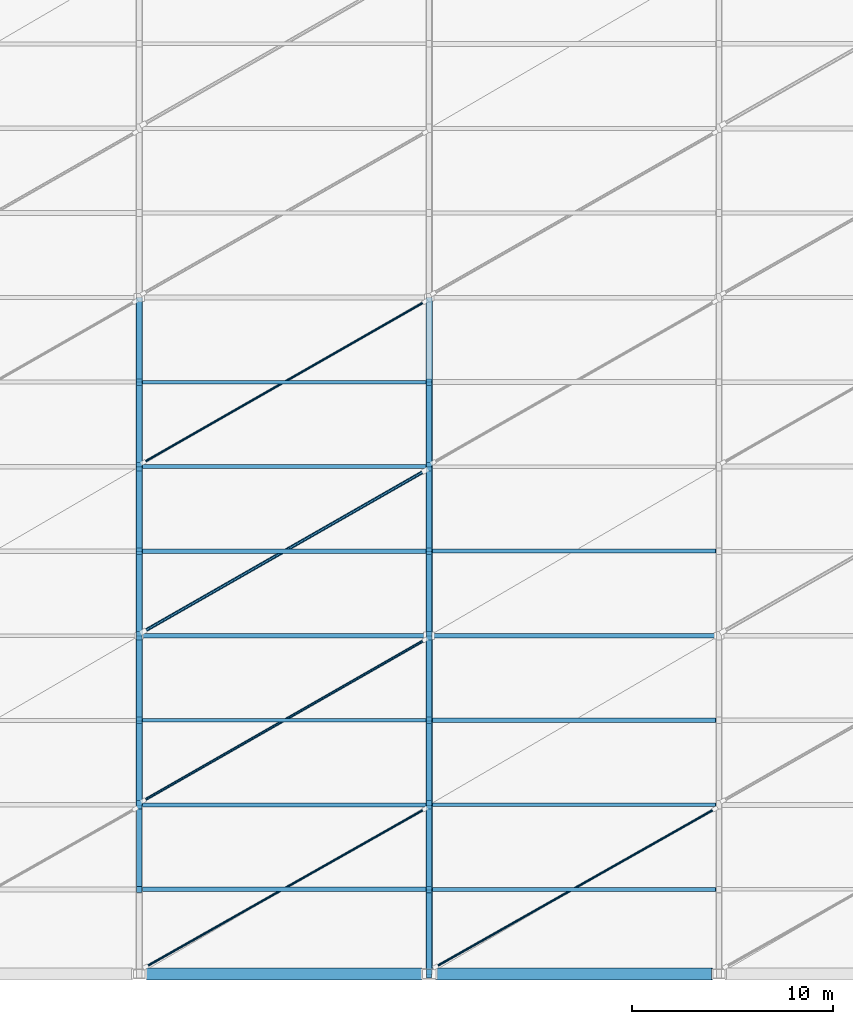
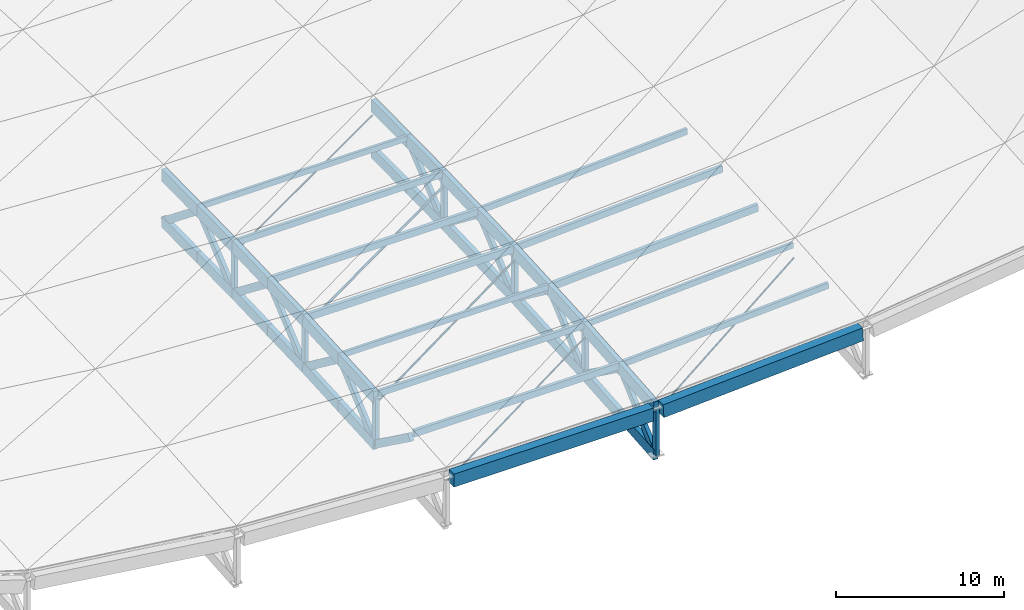
# One storey, part 5 of 22: 38 members, 30 beams.
"""IFC4 building model written with IfcOpenShell, lengths in metres."""

from ifc_helpers import new_model, si_unit, direction, frame, origin, origin_2d, place, context, subcontext, project, spatial, rectangle, hollow_circle, extrude, material, material_profile, profile_set, type_object, element, save


model = new_model("IFC4")

# Units and contexts
model_context = context("Model", 3, precision=1e-05, world=origin(), true_north=direction((0.0, 1.0)))
body_context = subcontext(model_context, "Body", "Model", "MODEL_VIEW")
ifc_project = project(units=[si_unit("LENGTHUNIT", "METRE"), si_unit("AREAUNIT", "SQUARE_METRE"), si_unit("VOLUMEUNIT", "CUBIC_METRE"), si_unit("PLANEANGLEUNIT", "RADIAN"), si_unit("MASSUNIT", "GRAM", prefix="KILO"), si_unit("THERMODYNAMICTEMPERATUREUNIT", "KELVIN")], contexts=[model_context])

# Site, building, storey
site_placement = place(None, origin())
site = spatial("IfcSite", under=ifc_project, at=site_placement, CompositionType="ELEMENT")
building_placement = place(site_placement, origin())
building = spatial("IfcBuilding", under=site, at=building_placement, Name="Nduvali Passage Aquatics Centre", CompositionType="ELEMENT")
storey_placement = place(building_placement, frame((0.0, 0.0, 21.60009765625)))
storey = spatial("IfcBuildingStorey", under=building, at=storey_placement, Name="RF", CompositionType="ELEMENT", Elevation=21.60009765625)

# Beams
ifc_material_1 = material(Name="Glulam GL32c", Category="wood")
ifc_material_profile_1 = material_profile(ifc_material_1, rectangle(XDim=0.320068359375, YDim=0.800048828125, at=origin_2d()), Name="GL32c 320x800")
ifc_profile_set_1 = profile_set([ifc_material_profile_1], Name="Glulam GL32c")
beam_type_1 = type_object("IfcBeamType", Name="STR-BM-GL32-BOT", PredefinedType="BEAM", material=ifc_profile_set_1)
for number, where, z_axis, x_axis, name in (
    (1, (68.39990234375, 33.60009765625, -11.24951171875), (0.0, 0.998233110761, 0.059419328339), (-1.0, 0.0, 0.0), "RF Pool Hall Roof Truss Bottom Chord R4 BC1-1779"),
    (2, (68.39990234375, 37.800048828125, -10.99951171875), (0.0, 0.998233110761, 0.059419328339), (-1.0, 0.0, 0.0), "RF Pool Hall Roof Truss Bottom Chord R4 BC1-1781"),
):
    element("IfcBeam", number, at=place(storey_placement, frame(where, z_axis=z_axis, x_axis=x_axis)), inside=storey, type_object=beam_type_1, Name=name, PredefinedType="BEAM", context=body_context, shape_type="SweptSolid", body=[
        extrude(rectangle(XDim=0.320068359375, YDim=0.800048828125, at=origin_2d()), origin(), (0.0, 0.0, 1.0), 4.207275390625),
    ])
for number, where, z_axis, x_axis, name in (
    (3, (68.39990234375, 42.0, -10.74951171875), (0.0, 0.999363668121, 0.035668737559), (-1.0, 0.0, 0.0), "RF Pool Hall Roof Truss Bottom Chord R4 BC1-1783"),
    (4, (68.39990234375, 46.199951171875, -10.599609375), (0.0, 0.999363668121, 0.035668737559), (-1.0, 0.0, 0.0), "RF Pool Hall Roof Truss Bottom Chord R4 BC1-1785"),
):
    element("IfcBeam", number, at=place(storey_placement, frame(where, z_axis=z_axis, x_axis=x_axis)), inside=storey, type_object=beam_type_1, Name=name, PredefinedType="BEAM", context=body_context, shape_type="SweptSolid", body=[
        extrude(rectangle(XDim=0.320068359375, YDim=0.800048828125, at=origin_2d()), origin(), (0.0, 0.0, 1.0), 4.20263671875),
    ])
beam_1_placement = place(storey_placement, frame((68.39990234375, 50.39990234375, -10.44970703125), z_axis=(0.0, 0.999929014015, 0.01191498767), x_axis=(-1.0, 0.0, 0.0)))
element("IfcBeam", 5, at=beam_1_placement, inside=storey, type_object=beam_type_1, Name="RF Pool Hall Roof Truss Bottom Chord R4 BC1-1787", PredefinedType="BEAM", context=body_context, shape_type="SweptSolid", body=[
    extrude(rectangle(XDim=0.320068359375, YDim=0.800048828125, at=origin_2d()), origin(), (0.0, 0.0, 1.0), 4.200439453125),
])
beam_2_placement = place(storey_placement, frame((68.39990234375, 54.60009765625, -10.399658203125), z_axis=(0.0, 0.999929005763, 0.011915680183), x_axis=(-1.0, 0.0, 0.0)))
element("IfcBeam", 6, at=beam_2_placement, inside=storey, type_object=beam_type_1, Name="RF Pool Hall Roof Truss Bottom Chord R4 BC1-1789", PredefinedType="BEAM", context=body_context, shape_type="SweptSolid", body=[
    extrude(rectangle(XDim=0.320068359375, YDim=0.800048828125, at=origin_2d()), origin(), (0.0, 0.0, 1.0), 4.2001953125),
])
beam_3_placement = place(storey_placement, frame((82.800048828125, 25.199951171875, -11.94970703125), z_axis=(0.0, 0.996543760423, 0.083069450238), x_axis=(-1.0, 0.0, 0.0)))
element("IfcBeam", 7, at=beam_3_placement, inside=storey, type_object=beam_type_1, Name="RF Pool Hall Roof Truss Bottom Chord R5 BC1-1807", PredefinedType="BEAM", context=body_context, shape_type="SweptSolid", body=[
    extrude(rectangle(XDim=0.320068359375, YDim=0.800048828125, at=origin_2d()), origin(), (0.0, 0.0, 1.0), 4.214599609375),
])
beam_4_placement = place(storey_placement, frame((82.800048828125, 29.39990234375, -11.599609375), z_axis=(0.0, 0.996544160125, 0.083064655058), x_axis=(-1.0, 0.0, 0.0)))
element("IfcBeam", 8, at=beam_4_placement, inside=storey, type_object=beam_type_1, Name="RF Pool Hall Roof Truss Bottom Chord R5 BC1-1809", PredefinedType="BEAM", context=body_context, shape_type="SweptSolid", body=[
    extrude(rectangle(XDim=0.320068359375, YDim=0.800048828125, at=origin_2d()), origin(), (0.0, 0.0, 1.0), 4.21484375),
])
for number, where, z_axis, x_axis, name in (
    (9, (82.800048828125, 33.60009765625, -11.24951171875), (0.0, 0.998233110761, 0.059419328339), (-1.0, 0.0, 0.0), "RF Pool Hall Roof Truss Bottom Chord R5 BC1-1811"),
    (10, (82.800048828125, 37.800048828125, -10.99951171875), (0.0, 0.998233110761, 0.059419328339), (-1.0, 0.0, 0.0), "RF Pool Hall Roof Truss Bottom Chord R5 BC1-1813"),
):
    element("IfcBeam", number, at=place(storey_placement, frame(where, z_axis=z_axis, x_axis=x_axis)), inside=storey, type_object=beam_type_1, Name=name, PredefinedType="BEAM", context=body_context, shape_type="SweptSolid", body=[
        extrude(rectangle(XDim=0.320068359375, YDim=0.800048828125, at=origin_2d()), origin(), (0.0, 0.0, 1.0), 4.207275390625),
    ])
for number, where, z_axis, x_axis, name in (
    (11, (82.800048828125, 42.0, -10.74951171875), (0.0, 0.999363668121, 0.035668737559), (-1.0, 0.0, 0.0), "RF Pool Hall Roof Truss Bottom Chord R5 BC1-1815"),
    (12, (82.800048828125, 46.199951171875, -10.599609375), (0.0, 0.999363668121, 0.035668737559), (-1.0, 0.0, 0.0), "RF Pool Hall Roof Truss Bottom Chord R5 BC1-1817"),
):
    element("IfcBeam", number, at=place(storey_placement, frame(where, z_axis=z_axis, x_axis=x_axis)), inside=storey, type_object=beam_type_1, Name=name, PredefinedType="BEAM", context=body_context, shape_type="SweptSolid", body=[
        extrude(rectangle(XDim=0.320068359375, YDim=0.800048828125, at=origin_2d()), origin(), (0.0, 0.0, 1.0), 4.20263671875),
    ])
beam_5_placement = place(storey_placement, frame((82.800048828125, 50.39990234375, -10.44970703125), z_axis=(0.0, 0.999929014015, 0.01191498767), x_axis=(-1.0, 0.0, 0.0)))
element("IfcBeam", 13, at=beam_5_placement, inside=storey, type_object=beam_type_1, Name="RF Pool Hall Roof Truss Bottom Chord R5 BC1-1819", PredefinedType="BEAM", context=body_context, shape_type="SweptSolid", body=[
    extrude(rectangle(XDim=0.320068359375, YDim=0.800048828125, at=origin_2d()), origin(), (0.0, 0.0, 1.0), 4.200439453125),
])
beam_6_placement = place(storey_placement, frame((82.800048828125, 54.60009765625, -10.399658203125), z_axis=(0.0, 0.999929005763, 0.011915680183), x_axis=(-1.0, 0.0, 0.0)))
element("IfcBeam", 14, at=beam_6_placement, inside=storey, type_object=beam_type_1, Name="RF Pool Hall Roof Truss Bottom Chord R5 BC1-1821", PredefinedType="BEAM", context=body_context, shape_type="SweptSolid", body=[
    extrude(rectangle(XDim=0.320068359375, YDim=0.800048828125, at=origin_2d()), origin(), (0.0, 0.0, 1.0), 4.2001953125),
])
ifc_material_profile_2 = material_profile(ifc_material_1, rectangle(XDim=0.320068359375, YDim=0.89990234375, at=origin_2d()), Name="GL32c 320x900")
ifc_profile_set_2 = profile_set([ifc_material_profile_2], Name="Glulam GL32c")
beam_type_2 = type_object("IfcBeamType", Name="STR-BM-GL32-TOP", PredefinedType="BEAM", material=ifc_profile_set_2)
for number, where, z_axis, x_axis, name in (
    (15, (68.39990234375, 33.60009765625, -7.849609375), (0.0, 0.998233110761, 0.059419328339), (-1.0, 0.0, 0.0), "RF Pool Hall Roof Truss Top Chord R4 TC1-1778"),
    (16, (68.39990234375, 37.800048828125, -7.599609375), (0.0, 0.998233110761, 0.059419328339), (-1.0, 0.0, 0.0), "RF Pool Hall Roof Truss Top Chord R4 TC1-1780"),
):
    element("IfcBeam", number, at=place(storey_placement, frame(where, z_axis=z_axis, x_axis=x_axis)), inside=storey, type_object=beam_type_2, Name=name, PredefinedType="BEAM", context=body_context, shape_type="SweptSolid", body=[
        extrude(rectangle(XDim=0.320068359375, YDim=0.89990234375, at=origin_2d()), origin(), (0.0, 0.0, 1.0), 4.207275390625),
    ])
for number, where, z_axis, x_axis, name in (
    (17, (68.39990234375, 42.0, -7.349609375), (0.0, 0.999363668121, 0.035668737559), (-1.0, 0.0, 0.0), "RF Pool Hall Roof Truss Top Chord R4 TC1-1782"),
    (18, (68.39990234375, 46.199951171875, -7.19970703125), (0.0, 0.999361595677, 0.035726755876), (-1.0, 0.0, 0.0), "RF Pool Hall Roof Truss Top Chord R4 TC1-1784"),
):
    element("IfcBeam", number, at=place(storey_placement, frame(where, z_axis=z_axis, x_axis=x_axis)), inside=storey, type_object=beam_type_2, Name=name, PredefinedType="BEAM", context=body_context, shape_type="SweptSolid", body=[
        extrude(rectangle(XDim=0.320068359375, YDim=0.89990234375, at=origin_2d()), origin(), (0.0, 0.0, 1.0), 4.20263671875),
    ])
beam_7_placement = place(storey_placement, frame((68.39990234375, 50.39990234375, -7.049560546875), z_axis=(0.0, 0.999929014015, 0.01191498767), x_axis=(-1.0, 0.0, 0.0)))
element("IfcBeam", 19, at=beam_7_placement, inside=storey, type_object=beam_type_2, Name="RF Pool Hall Roof Truss Top Chord R4 TC1-1786", PredefinedType="BEAM", context=body_context, shape_type="SweptSolid", body=[
    extrude(rectangle(XDim=0.320068359375, YDim=0.89990234375, at=origin_2d()), origin(), (0.0, 0.0, 1.0), 4.200439453125),
])
beam_8_placement = place(storey_placement, frame((68.39990234375, 54.60009765625, -6.99951171875), z_axis=(0.0, 0.999929696627, 0.011857563106), x_axis=(-1.0, 0.0, 0.0)))
element("IfcBeam", 20, at=beam_8_placement, inside=storey, type_object=beam_type_2, Name="RF Pool Hall Roof Truss Top Chord R4 TC1-1788", PredefinedType="BEAM", context=body_context, shape_type="SweptSolid", body=[
    extrude(rectangle(XDim=0.320068359375, YDim=0.89990234375, at=origin_2d()), origin(), (0.0, 0.0, 1.0), 4.2001953125),
])
beam_9_placement = place(storey_placement, frame((82.800048828125, 25.199951171875, -8.549560546875), z_axis=(0.0, 0.996548554241, 0.083011921073), x_axis=(-1.0, 0.0, 0.0)))
element("IfcBeam", 21, at=beam_9_placement, inside=storey, type_object=beam_type_2, Name="RF Pool Hall Roof Truss Top Chord R5 TC1-1806", PredefinedType="BEAM", context=body_context, shape_type="SweptSolid", body=[
    extrude(rectangle(XDim=0.320068359375, YDim=0.89990234375, at=origin_2d()), origin(), (0.0, 0.0, 1.0), 4.214599609375),
])
beam_10_placement = place(storey_placement, frame((82.800048828125, 29.39990234375, -8.19970703125), z_axis=(0.0, 0.996544160125, 0.083064655058), x_axis=(-1.0, 0.0, 0.0)))
element("IfcBeam", 22, at=beam_10_placement, inside=storey, type_object=beam_type_2, Name="RF Pool Hall Roof Truss Top Chord R5 TC1-1808", PredefinedType="BEAM", context=body_context, shape_type="SweptSolid", body=[
    extrude(rectangle(XDim=0.320068359375, YDim=0.89990234375, at=origin_2d()), origin(), (0.0, 0.0, 1.0), 4.21484375),
])
for number, where, z_axis, x_axis, name in (
    (23, (82.800048828125, 33.60009765625, -7.849609375), (0.0, 0.998233110761, 0.059419328339), (-1.0, 0.0, 0.0), "RF Pool Hall Roof Truss Top Chord R5 TC1-1810"),
    (24, (82.800048828125, 37.800048828125, -7.599609375), (0.0, 0.998233110761, 0.059419328339), (-1.0, 0.0, 0.0), "RF Pool Hall Roof Truss Top Chord R5 TC1-1812"),
):
    element("IfcBeam", number, at=place(storey_placement, frame(where, z_axis=z_axis, x_axis=x_axis)), inside=storey, type_object=beam_type_2, Name=name, PredefinedType="BEAM", context=body_context, shape_type="SweptSolid", body=[
        extrude(rectangle(XDim=0.320068359375, YDim=0.89990234375, at=origin_2d()), origin(), (0.0, 0.0, 1.0), 4.207275390625),
    ])
for number, where, z_axis, x_axis, name in (
    (25, (82.800048828125, 42.0, -7.349609375), (0.0, 0.999363668121, 0.035668737559), (-1.0, 0.0, 0.0), "RF Pool Hall Roof Truss Top Chord R5 TC1-1814"),
    (26, (82.800048828125, 46.199951171875, -7.19970703125), (0.0, 0.999361595677, 0.035726755876), (-1.0, 0.0, 0.0), "RF Pool Hall Roof Truss Top Chord R5 TC1-1816"),
):
    element("IfcBeam", number, at=place(storey_placement, frame(where, z_axis=z_axis, x_axis=x_axis)), inside=storey, type_object=beam_type_2, Name=name, PredefinedType="BEAM", context=body_context, shape_type="SweptSolid", body=[
        extrude(rectangle(XDim=0.320068359375, YDim=0.89990234375, at=origin_2d()), origin(), (0.0, 0.0, 1.0), 4.20263671875),
    ])
beam_11_placement = place(storey_placement, frame((82.800048828125, 50.39990234375, -7.049560546875), z_axis=(0.0, 0.999929014015, 0.01191498767), x_axis=(-1.0, 0.0, 0.0)))
element("IfcBeam", 27, at=beam_11_placement, inside=storey, type_object=beam_type_2, Name="RF Pool Hall Roof Truss Top Chord R5 TC1-1818", PredefinedType="BEAM", context=body_context, shape_type="SweptSolid", body=[
    extrude(rectangle(XDim=0.320068359375, YDim=0.89990234375, at=origin_2d()), origin(), (0.0, 0.0, 1.0), 4.200439453125),
])
beam_12_placement = place(storey_placement, frame((82.800048828125, 54.60009765625, -6.99951171875), z_axis=(0.0, 0.999929696627, 0.011857563106), x_axis=(-1.0, 0.0, 0.0)))
element("IfcBeam", 28, at=beam_12_placement, inside=storey, type_object=beam_type_2, Name="RF Pool Hall Roof Truss Top Chord R5 TC1-1820", PredefinedType="BEAM", context=body_context, shape_type="SweptSolid", body=[
    extrude(rectangle(XDim=0.320068359375, YDim=0.89990234375, at=origin_2d()), origin(), (0.0, 0.0, 1.0), 4.2001953125),
])
ifc_material_2 = material(Name="Concrete C40/50", Category="concrete")
ifc_material_profile_3 = material_profile(ifc_material_2, rectangle(XDim=0.60009765625, YDim=0.949951171875, at=origin_2d()), Name="RC 600x950")
ifc_profile_set_3 = profile_set([ifc_material_profile_3], Name="Concrete C40/50")
beam_type_3 = type_object("IfcBeamType", Name="STR-BM-RC6095-EXT", PredefinedType="BEAM", material=ifc_profile_set_3)
beam_13_placement = place(storey_placement, frame((68.75, 25.199951171875, -8.772705078125), z_axis=(1.0, 0.0, 0.0), x_axis=(0.0, 1.0, 0.0)))
element("IfcBeam", 29, at=beam_13_placement, inside=storey, type_object=beam_type_3, Name="RF Pool Hall Perimeter Ring Beam B1E-1667", PredefinedType="BEAM", context=body_context, shape_type="SweptSolid", body=[
    extrude(rectangle(XDim=0.60009765625, YDim=0.949951171875, at=origin_2d()), origin(), (0.0, 0.0, 1.0), 13.699951171875),
])
beam_14_placement = place(storey_placement, frame((83.14990234375, 25.199951171875, -8.772705078125), z_axis=(0.998336319947, 0.0, 0.057659277442), x_axis=(0.0, 1.0, 0.0)))
element("IfcBeam", 30, at=beam_14_placement, inside=storey, type_object=beam_type_3, Name="RF Pool Hall Perimeter Ring Beam B1E-1668", PredefinedType="BEAM", context=body_context, shape_type="SweptSolid", body=[
    extrude(rectangle(XDim=0.60009765625, YDim=0.949951171875, at=origin_2d()), origin(), (0.0, 0.0, 1.0), 13.72314453125),
])

# Members
ifc_material_3 = material(Name="Steel S355", Category="steel")
ifc_material_profile_4 = material_profile(ifc_material_3, hollow_circle(Radius=0.05712890625, WallThickness=0.00634765625, at=origin_2d()), Name="CHS 114.3x6.3")
ifc_profile_set_4 = profile_set([ifc_material_profile_4], Name="Steel S355")
member_type_1 = type_object("IfcMemberType", Name="STR-MEM-CHS114", PredefinedType="BRACE", material=ifc_profile_set_4)
member_1_placement = place(storey_placement, frame((68.719970703125, 25.550048828125, -9.127685546875), z_axis=(0.869602261114, 0.491800283215, 0.043867857191), x_axis=(-0.49227417479, 0.870440197162, 0.0)))
element("IfcMember", 31, at=member_1_placement, inside=storey, type_object=member_type_1, Name="Pool Hall Roof Wind Brace B4-P1A", PredefinedType="BRACE", context=body_context, shape_type="SweptSolid", body=[
    extrude(hollow_circle(Radius=0.05712890625, WallThickness=0.00634765625, at=origin_2d()), origin(), (0.0, 0.0, 1.0), 15.96142578125),
])
member_2_placement = place(storey_placement, frame((68.60009765625, 50.60009765625, -7.627685546875), z_axis=(0.868226412997, 0.496129378856, 0.006207673503), x_axis=(-0.496138938357, 0.868243142124, 0.0)))
element("IfcMember", 32, at=member_2_placement, inside=storey, type_object=member_type_1, Name="Pool Hall Roof Wind Brace B4-P4A", PredefinedType="BRACE", context=body_context, shape_type="SweptSolid", body=[
    extrude(hollow_circle(Radius=0.05712890625, WallThickness=0.00634765625, at=origin_2d()), origin(), (0.0, 0.0, 1.0), 16.124755859375),
])
member_3_placement = place(storey_placement, frame((83.1201171875, 25.550048828125, -9.127685546875), z_axis=(0.866655104303, 0.490142151, 0.093110697549), x_axis=(-0.492280735282, 0.870436486868, 0.0)))
element("IfcMember", 33, at=member_3_placement, inside=storey, type_object=member_type_1, Name="Pool Hall Roof Wind Brace B5-P1A", PredefinedType="BRACE", context=body_context, shape_type="SweptSolid", body=[
    extrude(hollow_circle(Radius=0.05712890625, WallThickness=0.00634765625, at=origin_2d()), origin(), (0.0, 0.0, 1.0), 16.015380859375),
])
ifc_material_profile_5 = material_profile(ifc_material_3, hollow_circle(Radius=0.06982421875, WallThickness=0.00634765625, at=origin_2d()), Name="CHS 139.7x6.3")
ifc_profile_set_5 = profile_set([ifc_material_profile_5], Name="Steel S355")
member_type_2 = type_object("IfcMemberType", Name="STR-MEM-CHS139", PredefinedType="BRACE", material=ifc_profile_set_5)
member_4_placement = place(storey_placement, frame((68.60009765625, 33.800048828125, -8.427490234375), z_axis=(0.867826018323, 0.495900581899, 0.030993786369), x_axis=(-0.496138938357, 0.868243142124, 0.0)))
element("IfcMember", 34, at=member_4_placement, inside=storey, type_object=member_type_2, Name="Pool Hall Roof Wind Brace B4-P2A", PredefinedType="BRACE", context=body_context, shape_type="SweptSolid", body=[
    extrude(hollow_circle(Radius=0.06982421875, WallThickness=0.00634765625, at=origin_2d()), origin(), (0.0, 0.0, 1.0), 16.13232421875),
])
ifc_material_profile_6 = material_profile(ifc_material_3, hollow_circle(Radius=0.084228515625, WallThickness=0.00634765625, at=origin_2d()), Name="CHS 168.3x6.3")
ifc_profile_set_6 = profile_set([ifc_material_profile_6], Name="Steel S355")
member_type_3 = type_object("IfcMemberType", Name="STR-MEM-CHS168", PredefinedType="BRACE", material=ifc_profile_set_6)
member_5_placement = place(storey_placement, frame((68.60009765625, 42.199951171875, -7.927490234375), z_axis=(0.868093103777, 0.496053202159, 0.018589884407), x_axis=(-0.496138938357, 0.868243142124, 0.0)))
element("IfcMember", 35, at=member_5_placement, inside=storey, type_object=member_type_3, Name="Pool Hall Roof Wind Brace B4-P3A", PredefinedType="BRACE", context=body_context, shape_type="SweptSolid", body=[
    extrude(hollow_circle(Radius=0.084228515625, WallThickness=0.00634765625, at=origin_2d()), origin(), (0.0, 0.0, 1.0), 16.127197265625),
])
ifc_material_4 = material(Name="Glulam GL28h", Category="wood")
ifc_material_profile_7 = material_profile(ifc_material_4, rectangle(XDim=0.260009765625, YDim=0.52001953125, at=origin_2d()), Name="GL28h 260x520")
ifc_profile_set_7 = profile_set([ifc_material_profile_7], Name="Glulam GL28h")
member_type_4 = type_object("IfcMemberType", Name="STR-MEM-GL-DIAG", PredefinedType="CHORD", material=ifc_profile_set_7)
member_6_placement = place(storey_placement, frame((68.39990234375, 29.39990234375, -8.19970703125), z_axis=(0.0, 0.809183314599, -0.587556264007), x_axis=(-1.0, 0.0, 0.0)))
element("IfcMember", 36, at=member_6_placement, inside=storey, type_object=member_type_4, Name="Pool Hall Roof Truss Web Diagonal R4-2", PredefinedType="CHORD", context=body_context, shape_type="SweptSolid", body=[
    extrude(rectangle(XDim=0.260009765625, YDim=0.52001953125, at=origin_2d()), origin(), (0.0, 0.0, 1.0), 5.190673828125),
])
member_7_placement = place(storey_placement, frame((68.39990234375, 33.60009765625, -11.24951171875), z_axis=(0.0, 0.754803851974, 0.655950566007), x_axis=(-1.0, 0.0, 0.0)))
element("IfcMember", 37, at=member_7_placement, inside=storey, type_object=member_type_4, Name="Pool Hall Roof Truss Web Diagonal R4-3", PredefinedType="CHORD", context=body_context, shape_type="SweptSolid", body=[
    extrude(rectangle(XDim=0.260009765625, YDim=0.52001953125, at=origin_2d()), origin(), (0.0, 0.0, 1.0), 5.564208984375),
])
member_8_placement = place(storey_placement, frame((68.39990234375, 37.800048828125, -7.599609375), z_axis=(0.0, 0.800005580426, -0.599992559359), x_axis=(-1.0, 0.0, 0.0)))
element("IfcMember", 38, at=member_8_placement, inside=storey, type_object=member_type_4, Name="Pool Hall Roof Truss Web Diagonal R4-4", PredefinedType="CHORD", context=body_context, shape_type="SweptSolid", body=[
    extrude(rectangle(XDim=0.260009765625, YDim=0.52001953125, at=origin_2d()), origin(), (0.0, 0.0, 1.0), 5.25),
])
member_9_placement = place(storey_placement, frame((68.39990234375, 42.0, -10.74951171875), z_axis=(0.0, 0.763744856955, 0.645518236361), x_axis=(-1.0, 0.0, 0.0)))
element("IfcMember", 39, at=member_9_placement, inside=storey, type_object=member_type_4, Name="Pool Hall Roof Truss Web Diagonal R4-5", PredefinedType="CHORD", context=body_context, shape_type="SweptSolid", body=[
    extrude(rectangle(XDim=0.260009765625, YDim=0.52001953125, at=origin_2d()), origin(), (0.0, 0.0, 1.0), 5.499267578125),
])
member_10_placement = place(storey_placement, frame((68.39990234375, 46.199951171875, -7.19970703125), z_axis=(0.0, 0.790867256885, -0.611987730259), x_axis=(-1.0, 0.0, 0.0)))
element("IfcMember", 40, at=member_10_placement, inside=storey, type_object=member_type_4, Name="Pool Hall Roof Truss Web Diagonal R4-6", PredefinedType="CHORD", context=body_context, shape_type="SweptSolid", body=[
    extrude(rectangle(XDim=0.260009765625, YDim=0.52001953125, at=origin_2d()), origin(), (0.0, 0.0, 1.0), 5.310546875),
])
member_11_placement = place(storey_placement, frame((68.39990234375, 50.39990234375, -10.44970703125), z_axis=(0.0, 0.772723107365, 0.634743254666), x_axis=(-1.0, 0.0, 0.0)))
element("IfcMember", 41, at=member_11_placement, inside=storey, type_object=member_type_4, Name="Pool Hall Roof Truss Web Diagonal R4-7", PredefinedType="CHORD", context=body_context, shape_type="SweptSolid", body=[
    extrude(rectangle(XDim=0.260009765625, YDim=0.52001953125, at=origin_2d()), origin(), (0.0, 0.0, 1.0), 5.435546875),
])
member_12_placement = place(storey_placement, frame((68.39990234375, 54.60009765625, -6.99951171875), z_axis=(0.0, 0.781763575378, -0.623574945145), x_axis=(-1.0, 0.0, 0.0)))
element("IfcMember", 42, at=member_12_placement, inside=storey, type_object=member_type_4, Name="Pool Hall Roof Truss Web Diagonal R4-8", PredefinedType="CHORD", context=body_context, shape_type="SweptSolid", body=[
    extrude(rectangle(XDim=0.260009765625, YDim=0.52001953125, at=origin_2d()), origin(), (0.0, 0.0, 1.0), 5.372314453125),
])
member_13_placement = place(storey_placement, frame((82.800048828125, 25.199951171875, -11.94970703125), z_axis=(0.0, 0.745933814853, 0.666020077669), x_axis=(-1.0, 0.0, 0.0)))
element("IfcMember", 43, at=member_13_placement, inside=storey, type_object=member_type_4, Name="Pool Hall Roof Truss Web Diagonal R5-1", PredefinedType="CHORD", context=body_context, shape_type="SweptSolid", body=[
    extrude(rectangle(XDim=0.260009765625, YDim=0.52001953125, at=origin_2d()), origin(), (0.0, 0.0, 1.0), 5.63037109375),
])
member_14_placement = place(storey_placement, frame((82.800048828125, 29.39990234375, -8.19970703125), z_axis=(0.0, 0.809183314599, -0.587556264007), x_axis=(-1.0, 0.0, 0.0)))
element("IfcMember", 44, at=member_14_placement, inside=storey, type_object=member_type_4, Name="Pool Hall Roof Truss Web Diagonal R5-2", PredefinedType="CHORD", context=body_context, shape_type="SweptSolid", body=[
    extrude(rectangle(XDim=0.260009765625, YDim=0.52001953125, at=origin_2d()), origin(), (0.0, 0.0, 1.0), 5.190673828125),
])
member_15_placement = place(storey_placement, frame((82.800048828125, 33.60009765625, -11.24951171875), z_axis=(0.0, 0.754803851974, 0.655950566007), x_axis=(-1.0, 0.0, 0.0)))
element("IfcMember", 45, at=member_15_placement, inside=storey, type_object=member_type_4, Name="Pool Hall Roof Truss Web Diagonal R5-3", PredefinedType="CHORD", context=body_context, shape_type="SweptSolid", body=[
    extrude(rectangle(XDim=0.260009765625, YDim=0.52001953125, at=origin_2d()), origin(), (0.0, 0.0, 1.0), 5.564208984375),
])
member_16_placement = place(storey_placement, frame((82.800048828125, 37.800048828125, -7.599609375), z_axis=(0.0, 0.800005580426, -0.599992559359), x_axis=(-1.0, 0.0, 0.0)))
element("IfcMember", 46, at=member_16_placement, inside=storey, type_object=member_type_4, Name="Pool Hall Roof Truss Web Diagonal R5-4", PredefinedType="CHORD", context=body_context, shape_type="SweptSolid", body=[
    extrude(rectangle(XDim=0.260009765625, YDim=0.52001953125, at=origin_2d()), origin(), (0.0, 0.0, 1.0), 5.25),
])
member_17_placement = place(storey_placement, frame((82.800048828125, 42.0, -10.74951171875), z_axis=(0.0, 0.763744856955, 0.645518236361), x_axis=(-1.0, 0.0, 0.0)))
element("IfcMember", 47, at=member_17_placement, inside=storey, type_object=member_type_4, Name="Pool Hall Roof Truss Web Diagonal R5-5", PredefinedType="CHORD", context=body_context, shape_type="SweptSolid", body=[
    extrude(rectangle(XDim=0.260009765625, YDim=0.52001953125, at=origin_2d()), origin(), (0.0, 0.0, 1.0), 5.499267578125),
])
member_18_placement = place(storey_placement, frame((82.800048828125, 46.199951171875, -7.19970703125), z_axis=(0.0, 0.790867256885, -0.611987730259), x_axis=(-1.0, 0.0, 0.0)))
element("IfcMember", 48, at=member_18_placement, inside=storey, type_object=member_type_4, Name="Pool Hall Roof Truss Web Diagonal R5-6", PredefinedType="CHORD", context=body_context, shape_type="SweptSolid", body=[
    extrude(rectangle(XDim=0.260009765625, YDim=0.52001953125, at=origin_2d()), origin(), (0.0, 0.0, 1.0), 5.310546875),
])
member_19_placement = place(storey_placement, frame((82.800048828125, 50.39990234375, -10.44970703125), z_axis=(0.0, 0.772723107365, 0.634743254666), x_axis=(-1.0, 0.0, 0.0)))
element("IfcMember", 49, at=member_19_placement, inside=storey, type_object=member_type_4, Name="Pool Hall Roof Truss Web Diagonal R5-7", PredefinedType="CHORD", context=body_context, shape_type="SweptSolid", body=[
    extrude(rectangle(XDim=0.260009765625, YDim=0.52001953125, at=origin_2d()), origin(), (0.0, 0.0, 1.0), 5.435546875),
])
ifc_material_profile_8 = material_profile(ifc_material_4, rectangle(XDim=0.179931640625, YDim=0.39990234375, at=origin_2d()), Name="GL28h 180x400")
ifc_profile_set_8 = profile_set([ifc_material_profile_8], Name="Glulam GL28h")
member_type_5 = type_object("IfcMemberType", Name="STR-MEM-GL-PUR1", PredefinedType="PURLIN", material=ifc_profile_set_8)
for number, where, z_axis, x_axis, name in (
    (50, (68.56005859375, 37.800048828125, -7.342529296875), (1.0, 0.0, 0.0), (0.0, 1.0, 0.0), "Pool Hall Saddle Roof Purlin B4-3"),
    (51, (68.56005859375, 54.60009765625, -6.74267578125), (1.0, 0.0, 0.0), (0.0, 1.0, 0.0), "Pool Hall Saddle Roof Purlin B4-7"),
):
    element("IfcMember", number, at=place(storey_placement, frame(where, z_axis=z_axis, x_axis=x_axis)), inside=storey, type_object=member_type_5, Name=name, PredefinedType="PURLIN", context=body_context, shape_type="SweptSolid", body=[
        extrude(rectangle(XDim=0.179931640625, YDim=0.39990234375, at=origin_2d()), origin(), (0.0, 0.0, 1.0), 14.079833984375),
    ])
member_20_placement = place(storey_placement, frame((82.9599609375, 33.60009765625, -7.583740234375), z_axis=(0.998494679989, 0.0, 0.054848646591), x_axis=(0.0, 1.0, 0.0)))
element("IfcMember", 52, at=member_20_placement, inside=storey, type_object=member_type_5, Name="Pool Hall Saddle Roof Purlin B5-2", PredefinedType="PURLIN", context=body_context, shape_type="SweptSolid", body=[
    extrude(rectangle(XDim=0.179931640625, YDim=0.39990234375, at=origin_2d()), origin(), (0.0, 0.0, 1.0), 14.101318359375),
])
ifc_material_profile_9 = material_profile(ifc_material_4, rectangle(XDim=0.219970703125, YDim=0.47998046875, at=origin_2d()), Name="GL28h 220x480")
ifc_profile_set_9 = profile_set([ifc_material_profile_9], Name="Glulam GL28h")
member_type_6 = type_object("IfcMemberType", Name="STR-MEM-GL-PUR3", PredefinedType="PURLIN", material=ifc_profile_set_9)
for number, where, z_axis, x_axis, name in (
    (53, (68.56005859375, 29.39990234375, -7.982666015625), (1.0, 0.0, 0.0), (0.0, 1.0, 0.0), "Pool Hall Saddle Roof Purlin B4-1"),
    (54, (68.56005859375, 46.199951171875, -6.982666015625), (1.0, 0.0, 0.0), (0.0, 1.0, 0.0), "Pool Hall Saddle Roof Purlin B4-5"),
):
    element("IfcMember", number, at=place(storey_placement, frame(where, z_axis=z_axis, x_axis=x_axis)), inside=storey, type_object=member_type_6, Name=name, PredefinedType="PURLIN", context=body_context, shape_type="SweptSolid", body=[
        extrude(rectangle(XDim=0.219970703125, YDim=0.47998046875, at=origin_2d()), origin(), (0.0, 0.0, 1.0), 14.079833984375),
    ])
member_21_placement = place(storey_placement, frame((82.9599609375, 42.0, -7.123779296875), z_axis=(0.998494679989, 0.0, 0.054848646591), x_axis=(0.0, 1.0, 0.0)))
element("IfcMember", 55, at=member_21_placement, inside=storey, type_object=member_type_6, Name="Pool Hall Saddle Roof Purlin B5-4", PredefinedType="PURLIN", context=body_context, shape_type="SweptSolid", body=[
    extrude(rectangle(XDim=0.219970703125, YDim=0.47998046875, at=origin_2d()), origin(), (0.0, 0.0, 1.0), 14.101318359375),
])
ifc_material_profile_10 = material_profile(ifc_material_4, rectangle(XDim=0.199951171875, YDim=0.43994140625, at=origin_2d()), Name="GL28h 200x440")
ifc_profile_set_10 = profile_set([ifc_material_profile_10], Name="Glulam GL28h")
member_type_7 = type_object("IfcMemberType", Name="STR-MEM-GL-PUR4", PredefinedType="PURLIN", material=ifc_profile_set_10)
for number, where, z_axis, x_axis, name in (
    (56, (68.56005859375, 33.60009765625, -7.612548828125), (1.0, 0.0, 0.0), (0.0, 1.0, 0.0), "Pool Hall Saddle Roof Purlin B4-2"),
    (57, (68.56005859375, 50.39990234375, -6.8125), (1.0, 0.0, 0.0), (0.0, 1.0, 0.0), "Pool Hall Saddle Roof Purlin B4-6"),
):
    element("IfcMember", number, at=place(storey_placement, frame(where, z_axis=z_axis, x_axis=x_axis)), inside=storey, type_object=member_type_7, Name=name, PredefinedType="PURLIN", context=body_context, shape_type="SweptSolid", body=[
        extrude(rectangle(XDim=0.199951171875, YDim=0.43994140625, at=origin_2d()), origin(), (0.0, 0.0, 1.0), 14.079833984375),
    ])
for number, where, z_axis, x_axis, name in (
    (58, (82.9599609375, 29.39990234375, -7.953857421875), (0.998493731658, 0.0, 0.054865907817), (0.0, 1.0, 0.0), "Pool Hall Saddle Roof Purlin B5-1"),
    (59, (82.9599609375, 46.199951171875, -6.953857421875), (0.998493731658, 0.0, 0.054865907817), (0.0, 1.0, 0.0), "Pool Hall Saddle Roof Purlin B5-5"),
):
    element("IfcMember", number, at=place(storey_placement, frame(where, z_axis=z_axis, x_axis=x_axis)), inside=storey, type_object=member_type_7, Name=name, PredefinedType="PURLIN", context=body_context, shape_type="SweptSolid", body=[
        extrude(rectangle(XDim=0.199951171875, YDim=0.43994140625, at=origin_2d()), origin(), (0.0, 0.0, 1.0), 14.101318359375),
    ])
ifc_material_profile_11 = material_profile(ifc_material_4, rectangle(XDim=0.239990234375, YDim=0.52001953125, at=origin_2d()), Name="GL28h 240x520")
ifc_profile_set_11 = profile_set([ifc_material_profile_11], Name="Glulam GL28h")
member_type_8 = type_object("IfcMemberType", Name="STR-MEM-GL-PUR5", PredefinedType="PURLIN", material=ifc_profile_set_11)
member_22_placement = place(storey_placement, frame((68.56005859375, 42.0, -7.152587890625), z_axis=(1.0, 0.0, 0.0), x_axis=(0.0, 1.0, 0.0)))
element("IfcMember", 60, at=member_22_placement, inside=storey, type_object=member_type_8, Name="Pool Hall Saddle Roof Purlin B4-4", PredefinedType="PURLIN", context=body_context, shape_type="SweptSolid", body=[
    extrude(rectangle(XDim=0.239990234375, YDim=0.52001953125, at=origin_2d()), origin(), (0.0, 0.0, 1.0), 14.079833984375),
])
member_23_placement = place(storey_placement, frame((82.9599609375, 37.800048828125, -7.393798828125), z_axis=(0.998494679989, 0.0, 0.054848646591), x_axis=(0.0, 1.0, 0.0)))
element("IfcMember", 61, at=member_23_placement, inside=storey, type_object=member_type_8, Name="Pool Hall Saddle Roof Purlin B5-3", PredefinedType="PURLIN", context=body_context, shape_type="SweptSolid", body=[
    extrude(rectangle(XDim=0.239990234375, YDim=0.52001953125, at=origin_2d()), origin(), (0.0, 0.0, 1.0), 14.101318359375),
])
ifc_material_profile_12 = material_profile(ifc_material_4, rectangle(XDim=0.260009765625, YDim=0.419921875, at=origin_2d()), Name="GL28h 260x420")
ifc_profile_set_12 = profile_set([ifc_material_profile_12], Name="Glulam GL28h")
member_type_9 = type_object("IfcMemberType", Name="STR-MEM-GL-VERT", PredefinedType="STRUT", material=ifc_profile_set_12)
for number, where, z_axis, x_axis, name in (
    (62, (68.39990234375, 33.60009765625, -11.24951171875), (0.0, 0.0, 1.0), (1.0, 0.0, 0.0), "Pool Hall Roof Truss Vertical Strut R4-2"),
    (63, (68.39990234375, 42.0, -10.74951171875), (0.0, 0.0, 1.0), (1.0, 0.0, 0.0), "Pool Hall Roof Truss Vertical Strut R4-3"),
):
    element("IfcMember", number, at=place(storey_placement, frame(where, z_axis=z_axis, x_axis=x_axis)), inside=storey, type_object=member_type_9, Name=name, PredefinedType="STRUT", context=body_context, shape_type="SweptSolid", body=[
        extrude(rectangle(XDim=0.260009765625, YDim=0.419921875, at=origin_2d()), origin(), (0.0, 0.0, 1.0), 3.39990234375),
    ])
for number, where, z_axis, x_axis, name in (
    (64, (68.39990234375, 50.39990234375, -10.44970703125), (0.0, 0.0, 1.0), (1.0, 0.0, 0.0), "Pool Hall Roof Truss Vertical Strut R4-4"),
    (65, (82.800048828125, 25.199951171875, -11.94970703125), (0.0, 0.0, 1.0), (1.0, 0.0, 0.0), "Pool Hall Roof Truss Vertical Strut R5-1"),
):
    element("IfcMember", number, at=place(storey_placement, frame(where, z_axis=z_axis, x_axis=x_axis)), inside=storey, type_object=member_type_9, Name=name, PredefinedType="STRUT", context=body_context, shape_type="SweptSolid", body=[
        extrude(rectangle(XDim=0.260009765625, YDim=0.419921875, at=origin_2d()), origin(), (0.0, 0.0, 1.0), 3.400146484375),
    ])
for number, where, z_axis, x_axis, name in (
    (66, (82.800048828125, 33.60009765625, -11.24951171875), (0.0, 0.0, 1.0), (1.0, 0.0, 0.0), "Pool Hall Roof Truss Vertical Strut R5-2"),
    (67, (82.800048828125, 42.0, -10.74951171875), (0.0, 0.0, 1.0), (1.0, 0.0, 0.0), "Pool Hall Roof Truss Vertical Strut R5-3"),
):
    element("IfcMember", number, at=place(storey_placement, frame(where, z_axis=z_axis, x_axis=x_axis)), inside=storey, type_object=member_type_9, Name=name, PredefinedType="STRUT", context=body_context, shape_type="SweptSolid", body=[
        extrude(rectangle(XDim=0.260009765625, YDim=0.419921875, at=origin_2d()), origin(), (0.0, 0.0, 1.0), 3.39990234375),
    ])
member_24_placement = place(storey_placement, frame((82.800048828125, 50.39990234375, -10.44970703125), z_axis=(0.0, 0.0, 1.0), x_axis=(1.0, 0.0, 0.0)))
element("IfcMember", 68, at=member_24_placement, inside=storey, type_object=member_type_9, Name="Pool Hall Roof Truss Vertical Strut R5-4", PredefinedType="STRUT", context=body_context, shape_type="SweptSolid", body=[
    extrude(rectangle(XDim=0.260009765625, YDim=0.419921875, at=origin_2d()), origin(), (0.0, 0.0, 1.0), 3.400146484375),
])

save(model, "model.ifc")
